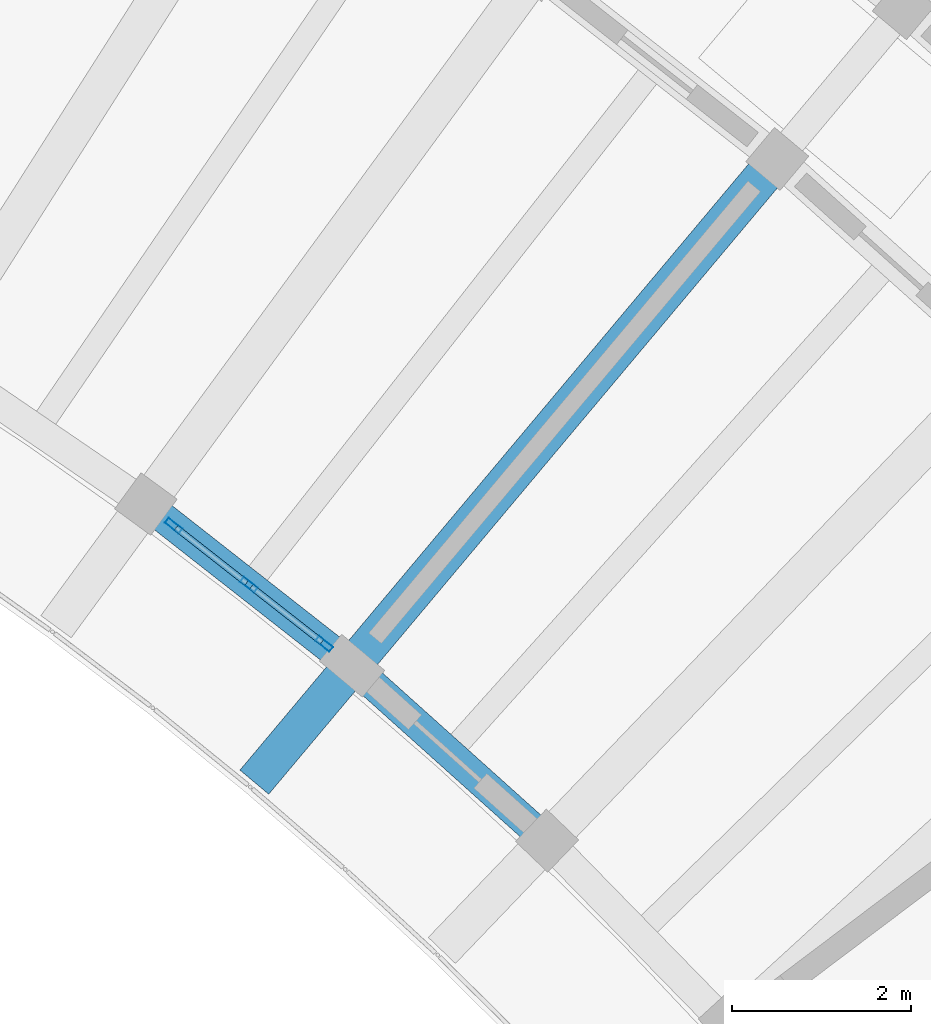
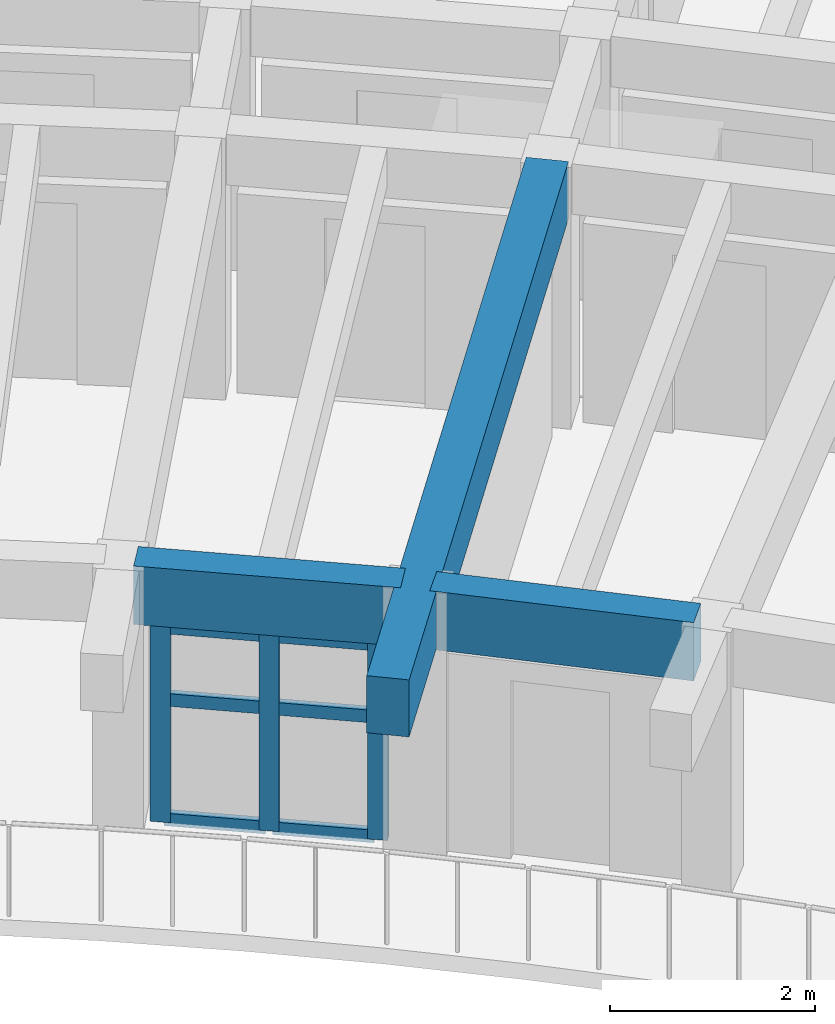
# One storey, part 9 of 41: 9 members, 3 beams, 1 element without a shape of its own.
"""IFC4 building model written with IfcOpenShell, lengths in metres."""

from ifc_helpers import new_model, si_unit, direction, frame, origin, origin_2d, place, context, subcontext, project, spatial, rectangle, hollow_rectangle, extrude, material, material_profile, profile_set, type_object, element, aggregate, save


model = new_model("IFC4")

# Units and contexts
model_context = context("Model", 3, precision=1e-05, world=origin(), true_north=direction((0.0, 1.0)))
body_context = subcontext(model_context, "Body", "Model", "MODEL_VIEW")
ifc_project = project(units=[si_unit("LENGTHUNIT", "METRE"), si_unit("AREAUNIT", "SQUARE_METRE"), si_unit("VOLUMEUNIT", "CUBIC_METRE"), si_unit("PLANEANGLEUNIT", "RADIAN"), si_unit("MASSUNIT", "GRAM", prefix="KILO")], contexts=[model_context])

# Site, building, storey
site_placement = place(None, origin())
site = spatial("IfcSite", under=ifc_project, at=site_placement, CompositionType="ELEMENT")
building_placement = place(site_placement, origin())
building = spatial("IfcBuilding", under=site, at=building_placement, Name="Tanwirah Colonnade Gardens", CompositionType="ELEMENT")
storey_placement = place(building_placement, frame((0.0, 0.0, 35.719970703125)))
storey = spatial("IfcBuildingStorey", under=building, at=storey_placement, Name="L10", CompositionType="ELEMENT", Elevation=35.719970703125)

# Beam
ifc_material_1 = material(Name="Precast concrete C45/55", Category="concrete")
ifc_material_profile_1 = material_profile(ifc_material_1, rectangle(XDim=0.419921875, YDim=0.679931640625, at=origin_2d()), Name="PC-BM 420x680")
ifc_profile_set_1 = profile_set([ifc_material_profile_1], Name="Precast concrete C45/55")
beam_type_1 = type_object("IfcBeamType", Name="BM-PC420", PredefinedType="BEAM", material=ifc_profile_set_1)
beam_placement = place(storey_placement, frame((154.232177734375, 99.804443359375, 2.775146484375), z_axis=(-0.64279407932, -0.766039014406, 0.0), x_axis=(0.766039014406, -0.64279407932, 0.0)))
element("IfcBeam", 1, at=beam_placement, inside=storey, type_object=beam_type_1, Name="Block B L10 Inner Radial Precast Girder 9", PredefinedType="BEAM", context=body_context, shape_type="SweptSolid", body=[
    extrude(rectangle(XDim=0.419921875, YDim=0.679931640625, at=origin_2d()), origin(), (0.0, 0.0, 1.0), 8.949951171875),
])

# Curtain wall, members
ifc_material_2 = material(Name="Bronze-anodised aluminium and solar-control low-E glass", Category="aluminium")
curtain_wall_type = type_object("IfcCurtainWallType", Name="CW-GDN", PredefinedType="NOTDEFINED", material=ifc_material_2)
curtain_wall_placement = place(storey_placement, origin())
curtain_wall = element("IfcCurtainWall", 2, at=curtain_wall_placement, inside=storey, type_object=curtain_wall_type, Name="Curtain Wall CW-B-L10-IN-09", PredefinedType="NOTDEFINED")
ifc_material_3 = material(Name="Bronze-anodised aluminium", Category="aluminium")
ifc_material_profile_2 = material_profile(ifc_material_3, hollow_rectangle(XDim=0.070068359375, YDim=0.199951171875, WallThickness=0.00390625, at=origin_2d()), Name="CW-MUL 70x200x4")
ifc_profile_set_2 = profile_set([ifc_material_profile_2], Name="Bronze-anodised aluminium")
member_type_1 = type_object("IfcMemberType", Name="CWM-70x200", PredefinedType="MULLION", material=ifc_profile_set_2)
member_1_placement = place(storey_placement, frame((149.26123046875, 94.494384765625, 0.0), z_axis=(0.0, 0.0, 1.0), x_axis=(-0.617188542982, -0.786815291166, 0.0)))
member_1 = element("IfcMember", 3, at=member_1_placement, type_object=member_type_1, Name="CW-GDN mullion 1", PredefinedType="MULLION", context=body_context, shape_type="SweptSolid", body=[
    extrude(hollow_rectangle(XDim=0.070068359375, YDim=0.199951171875, WallThickness=0.00390625, at=origin_2d()), origin(), (0.0, 0.0, 1.0), 2.35498046875),
])
member_2_placement = place(storey_placement, frame((148.419189453125, 95.155029296875, 0.0), z_axis=(0.0, 0.0, 1.0), x_axis=(-0.617188542982, -0.786815291166, 0.0)))
member_2 = element("IfcMember", 4, at=member_2_placement, type_object=member_type_1, Name="CW-GDN mullion 2", PredefinedType="MULLION", context=body_context, shape_type="SweptSolid", body=[
    extrude(hollow_rectangle(XDim=0.070068359375, YDim=0.199951171875, WallThickness=0.00390625, at=origin_2d()), origin(), (0.0, 0.0, 1.0), 2.35498046875),
])
member_3_placement = place(storey_placement, frame((147.5771484375, 95.8154296875, 0.0), z_axis=(0.0, 0.0, 1.0), x_axis=(-0.617188542982, -0.786815291166, 0.0)))
member_3 = element("IfcMember", 5, at=member_3_placement, type_object=member_type_1, Name="CW-GDN mullion 3", PredefinedType="MULLION", context=body_context, shape_type="SweptSolid", body=[
    extrude(hollow_rectangle(XDim=0.070068359375, YDim=0.199951171875, WallThickness=0.00390625, at=origin_2d()), origin(), (0.0, 0.0, 1.0), 2.35498046875),
])
ifc_material_profile_3 = material_profile(ifc_material_3, hollow_rectangle(XDim=0.070068359375, YDim=0.14990234375, WallThickness=0.00390625, at=origin_2d()), Name="CW-TRN 70x150x4")
ifc_profile_set_3 = profile_set([ifc_material_profile_3], Name="Bronze-anodised aluminium")
member_type_2 = type_object("IfcMemberType", Name="CWT-70x150", PredefinedType="USERDEFINED", material=ifc_profile_set_3)
member_4_placement = place(storey_placement, frame((149.233642578125, 94.51611328125, 0.034912109375), z_axis=(-0.786927781531, 0.617045109092, 0.0), x_axis=(-0.617045109092, -0.786927781531, 0.0)))
member_4 = element("IfcMember", 6, at=member_4_placement, type_object=member_type_2, Name="CW-GDN transom 1.1", ObjectType="TRANSOM", PredefinedType="USERDEFINED", context=body_context, shape_type="SweptSolid", body=[
    extrude(hollow_rectangle(XDim=0.070068359375, YDim=0.14990234375, WallThickness=0.00390625, at=origin_2d()), origin(), (0.0, 0.0, 1.0), 1.000244140625),
])
member_5_placement = place(storey_placement, frame((149.233642578125, 94.51611328125, 1.460205078125), z_axis=(-0.786927781531, 0.617045109092, 0.0), x_axis=(-0.617045109092, -0.786927781531, 0.0)))
member_5 = element("IfcMember", 7, at=member_5_placement, type_object=member_type_2, Name="CW-GDN transom 1.2", ObjectType="TRANSOM", PredefinedType="USERDEFINED", context=body_context, shape_type="SweptSolid", body=[
    extrude(hollow_rectangle(XDim=0.070068359375, YDim=0.14990234375, WallThickness=0.00390625, at=origin_2d()), origin(), (0.0, 0.0, 1.0), 1.000244140625),
])
member_6_placement = place(storey_placement, frame((149.233642578125, 94.51611328125, 2.320068359375), z_axis=(-0.786927781531, 0.617045109092, 0.0), x_axis=(-0.617045109092, -0.786927781531, 0.0)))
member_6 = element("IfcMember", 8, at=member_6_placement, type_object=member_type_2, Name="CW-GDN transom 1.3", ObjectType="TRANSOM", PredefinedType="USERDEFINED", context=body_context, shape_type="SweptSolid", body=[
    extrude(hollow_rectangle(XDim=0.070068359375, YDim=0.14990234375, WallThickness=0.00390625, at=origin_2d()), origin(), (0.0, 0.0, 1.0), 1.000244140625),
])
member_7_placement = place(storey_placement, frame((148.3916015625, 95.176513671875, 0.034912109375), z_axis=(-0.786834820955, 0.617163644857, 0.0), x_axis=(-0.617163644857, -0.786834820955, 0.0)))
member_7 = element("IfcMember", 9, at=member_7_placement, type_object=member_type_2, Name="CW-GDN transom 2.1", ObjectType="TRANSOM", PredefinedType="USERDEFINED", context=body_context, shape_type="SweptSolid", body=[
    extrude(hollow_rectangle(XDim=0.070068359375, YDim=0.14990234375, WallThickness=0.00390625, at=origin_2d()), origin(), (0.0, 0.0, 1.0), 1.0),
])
member_8_placement = place(storey_placement, frame((148.3916015625, 95.176513671875, 1.460205078125), z_axis=(-0.786834820955, 0.617163644857, 0.0), x_axis=(-0.617163644857, -0.786834820955, 0.0)))
member_8 = element("IfcMember", 10, at=member_8_placement, type_object=member_type_2, Name="CW-GDN transom 2.2", ObjectType="TRANSOM", PredefinedType="USERDEFINED", context=body_context, shape_type="SweptSolid", body=[
    extrude(hollow_rectangle(XDim=0.070068359375, YDim=0.14990234375, WallThickness=0.00390625, at=origin_2d()), origin(), (0.0, 0.0, 1.0), 1.0),
])
member_9_placement = place(storey_placement, frame((148.3916015625, 95.176513671875, 2.320068359375), z_axis=(-0.786834820955, 0.617163644857, 0.0), x_axis=(-0.617163644857, -0.786834820955, 0.0)))
member_9 = element("IfcMember", 11, at=member_9_placement, type_object=member_type_2, Name="CW-GDN transom 2.3", ObjectType="TRANSOM", PredefinedType="USERDEFINED", context=body_context, shape_type="SweptSolid", body=[
    extrude(hollow_rectangle(XDim=0.070068359375, YDim=0.14990234375, WallThickness=0.00390625, at=origin_2d()), origin(), (0.0, 0.0, 1.0), 1.0),
])
aggregate(curtain_wall, [member_1, member_2, member_3, member_4, member_5, member_6, member_7, member_8, member_9])

# Beams
ifc_material_4 = material(Name="Precast concrete C40/50", Category="concrete")
ifc_material_profile_4 = material_profile(ifc_material_4, rectangle(XDim=0.3349609375, YDim=0.695068359375, at=origin_2d()), Name="PC-SP 335x695")
ifc_profile_set_4 = profile_set([ifc_material_profile_4], Name="Precast concrete C40/50")
beam_type_2 = type_object("IfcBeamType", Name="SP-PC300", PredefinedType="SPANDREL", material=ifc_profile_set_4)
for number, where, z_axis, x_axis, name in (
    (12, (151.6416015625, 92.394287109375, 2.767578125), (-0.744400790288, 0.667733077972, 0.0), (-0.667733077972, -0.744400790288, 0.0), "Block B L10 Circumferential Beam 8-R0"),
    (13, (149.453857421875, 94.34326171875, 2.767578125), (-0.786836625031, 0.617161344795, 0.0), (-0.617161344795, -0.786836625031, 0.0), "Block B L10 Circumferential Beam 9-R0"),
):
    element("IfcBeam", number, at=place(storey_placement, frame(where, z_axis=z_axis, x_axis=x_axis)), inside=storey, type_object=beam_type_2, Name=name, PredefinedType="SPANDREL", context=body_context, shape_type="SweptSolid", body=[
        extrude(rectangle(XDim=0.3349609375, YDim=0.695068359375, at=origin_2d()), origin(), (0.0, 0.0, 1.0), 2.63037109375),
    ])

save(model, "model.ifc")
